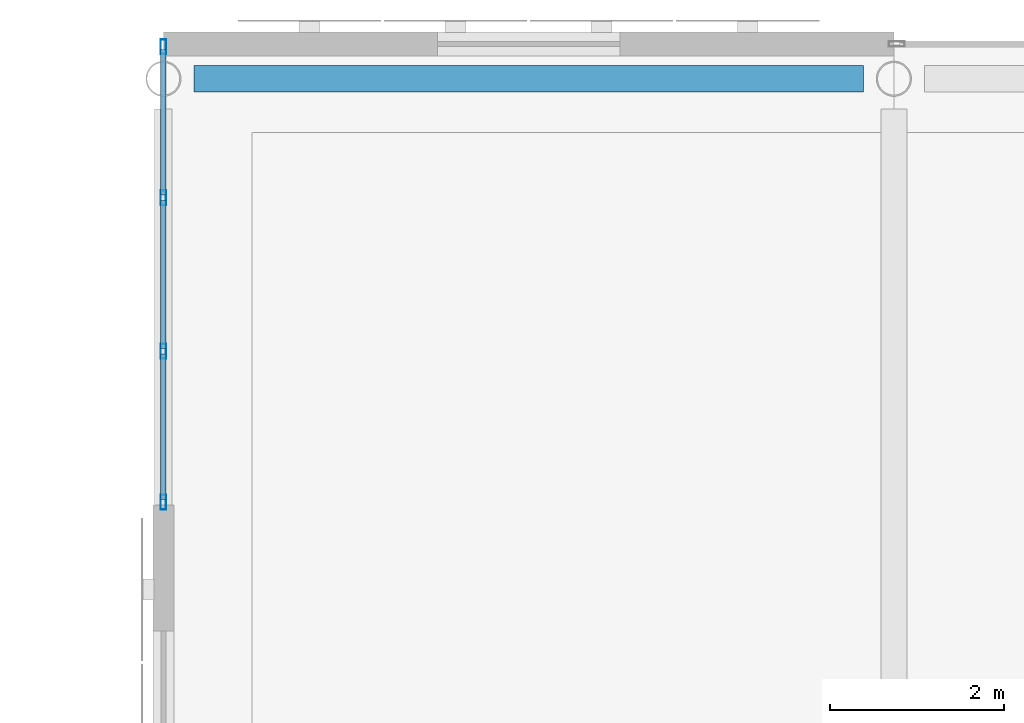
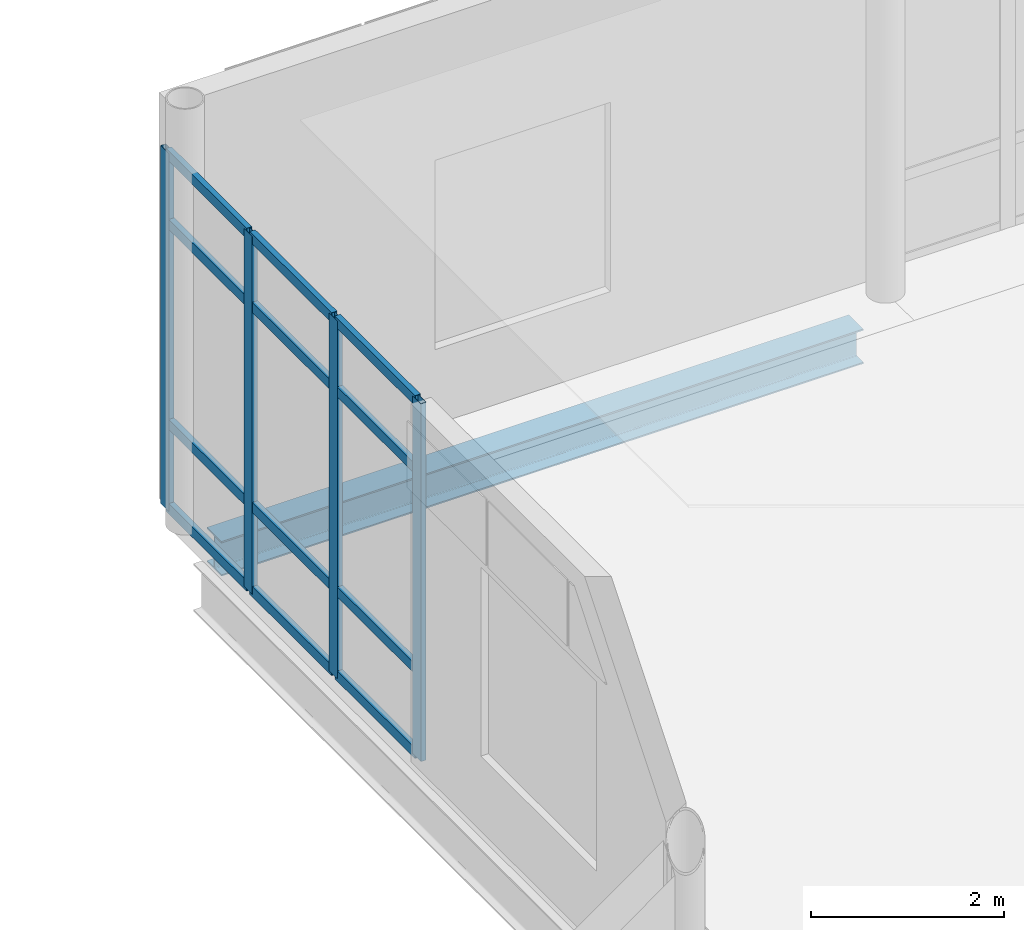
# One storey, part 30 of 110: 16 members, 1 beam, 1 element without a shape of its own.
"""IFC4 building model written with IfcOpenShell, lengths in metres."""

from ifc_helpers import new_model, si_unit, direction, frame, origin, origin_2d, place, context, subcontext, project, spatial, hollow_rectangle, i_section, extrude, material, layer, layer_set, material_profile, profile_set, type_object, element, aggregate, save


model = new_model("IFC4")

# Units and contexts
model_context = context("Model", 3, precision=1e-05, world=origin(), true_north=direction((0.0, 1.0)))
body_context = subcontext(model_context, "Body", "Model", "MODEL_VIEW")
ifc_project = project(units=[si_unit("LENGTHUNIT", "METRE"), si_unit("AREAUNIT", "SQUARE_METRE"), si_unit("VOLUMEUNIT", "CUBIC_METRE"), si_unit("PLANEANGLEUNIT", "RADIAN"), si_unit("MASSUNIT", "GRAM", prefix="KILO"), si_unit("THERMODYNAMICTEMPERATUREUNIT", "KELVIN")], contexts=[model_context])

# Site, building, storey
site_placement = place(None, origin())
site = spatial("IfcSite", under=ifc_project, at=site_placement, CompositionType="ELEMENT")
building_placement = place(site_placement, origin())
building = spatial("IfcBuilding", under=site, at=building_placement, Name="Lustrewick Department Store", CompositionType="ELEMENT")
storey_placement = place(building_placement, frame((0.0, 0.0, 6.0)))
storey = spatial("IfcBuildingStorey", under=building, at=storey_placement, Name="L02", CompositionType="ELEMENT", Elevation=6.0)

# Curtain wall, members
ifc_material_1 = material(Name="Thermally broken aluminium 6063-T5", Category="aluminium")
ifc_layer = layer(ifc_material_1, 0.169921875, Name="Thermally broken aluminium 6063-T5")
ifc_layer_set = layer_set([ifc_layer], Name="Thermally broken aluminium 6063-T5")
curtain_wall_type = type_object("IfcCurtainWallType", Name="CW03", PredefinedType="NOTDEFINED", material=ifc_layer_set)
curtain_wall_placement = place(storey_placement, origin())
curtain_wall = element("IfcCurtainWall", 1, at=curtain_wall_placement, inside=storey, type_object=curtain_wall_type, Name="L02 V2 Curtain Wall CW03", PredefinedType="NOTDEFINED")
ifc_material_profile_1 = material_profile(ifc_material_1, hollow_rectangle(XDim=0.06494140625, YDim=0.169921875, WallThickness=0.00390625, at=origin_2d()), Name="ALU-M 65x170x4")
ifc_profile_set_1 = profile_set([ifc_material_profile_1], Name="Thermally broken aluminium 6063-T5")
member_type_1 = type_object("IfcMemberType", Name="CW03-M1", PredefinedType="MULLION", material=ifc_profile_set_1)
member_1_placement = place(storey_placement, frame((75.60009765625, 111.5673828125, 0.0), z_axis=(0.0, 0.0, 1.0), x_axis=(1.0, 0.0, 0.0)))
member_1 = element("IfcMember", 2, at=member_1_placement, type_object=member_type_1, Name="CW03 mullion 1", PredefinedType="MULLION", context=body_context, shape_type="SweptSolid", body=[
    extrude(hollow_rectangle(XDim=0.06494140625, YDim=0.169921875, WallThickness=0.00390625, at=origin_2d()), origin(), (0.0, 0.0, 1.0), 4.537109375),
])
member_2_placement = place(storey_placement, frame((75.60009765625, 109.8330078125, 0.0), z_axis=(0.0, 0.0, 1.0), x_axis=(1.0, 0.0, 0.0)))
member_2 = element("IfcMember", 3, at=member_2_placement, type_object=member_type_1, Name="CW03 mullion 2", PredefinedType="MULLION", context=body_context, shape_type="SweptSolid", body=[
    extrude(hollow_rectangle(XDim=0.06494140625, YDim=0.169921875, WallThickness=0.00390625, at=origin_2d()), origin(), (0.0, 0.0, 1.0), 4.537109375),
])
member_3_placement = place(storey_placement, frame((75.60009765625, 108.06591796875, 0.0), z_axis=(0.0, 0.0, 1.0), x_axis=(1.0, 0.0, 0.0)))
member_3 = element("IfcMember", 4, at=member_3_placement, type_object=member_type_1, Name="CW03 mullion 3", PredefinedType="MULLION", context=body_context, shape_type="SweptSolid", body=[
    extrude(hollow_rectangle(XDim=0.06494140625, YDim=0.169921875, WallThickness=0.00390625, at=origin_2d()), origin(), (0.0, 0.0, 1.0), 4.537109375),
])
member_4_placement = place(storey_placement, frame((75.60009765625, 106.33154296875, 0.0), z_axis=(0.0, 0.0, 1.0), x_axis=(1.0, 0.0, 0.0)))
member_4 = element("IfcMember", 5, at=member_4_placement, type_object=member_type_1, Name="CW03 mullion 4", PredefinedType="MULLION", context=body_context, shape_type="SweptSolid", body=[
    extrude(hollow_rectangle(XDim=0.06494140625, YDim=0.169921875, WallThickness=0.00390625, at=origin_2d()), origin(), (0.0, 0.0, 1.0), 4.537109375),
])
ifc_material_profile_2 = material_profile(ifc_material_1, hollow_rectangle(XDim=0.06494140625, YDim=0.1298828125, WallThickness=0.00341796875, at=origin_2d()), Name="ALU-T 65x130x3.5")
ifc_profile_set_2 = profile_set([ifc_material_profile_2], Name="Thermally broken aluminium 6063-T5")
member_type_2 = type_object("IfcMemberType", Name="CW03-T1", PredefinedType="USERDEFINED", material=ifc_profile_set_2)
member_5_placement = place(storey_placement, frame((75.60009765625, 111.534912109375, 0.032470703125), z_axis=(0.0, -1.0, 0.0), x_axis=(1.0, 0.0, 0.0)))
member_5 = element("IfcMember", 6, at=member_5_placement, type_object=member_type_2, Name="CW03 transom 1.1", ObjectType="TRANSOM", PredefinedType="USERDEFINED", context=body_context, shape_type="SweptSolid", body=[
    extrude(hollow_rectangle(XDim=0.06494140625, YDim=0.1298828125, WallThickness=0.00341796875, at=origin_2d()), origin(), (0.0, 0.0, 1.0), 1.66943359375),
])
member_6_placement = place(storey_placement, frame((75.60009765625, 111.534912109375, 1.10009765625), z_axis=(0.0, -1.0, 0.0), x_axis=(1.0, 0.0, 0.0)))
member_6 = element("IfcMember", 7, at=member_6_placement, type_object=member_type_2, Name="CW03 transom 1.2", ObjectType="TRANSOM", PredefinedType="USERDEFINED", context=body_context, shape_type="SweptSolid", body=[
    extrude(hollow_rectangle(XDim=0.06494140625, YDim=0.1298828125, WallThickness=0.00341796875, at=origin_2d()), origin(), (0.0, 0.0, 1.0), 1.66943359375),
])
member_7_placement = place(storey_placement, frame((75.60009765625, 111.534912109375, 3.636962890625), z_axis=(0.0, -1.0, 0.0), x_axis=(1.0, 0.0, 0.0)))
member_7 = element("IfcMember", 8, at=member_7_placement, type_object=member_type_2, Name="CW03 transom 1.3", ObjectType="TRANSOM", PredefinedType="USERDEFINED", context=body_context, shape_type="SweptSolid", body=[
    extrude(hollow_rectangle(XDim=0.06494140625, YDim=0.1298828125, WallThickness=0.00341796875, at=origin_2d()), origin(), (0.0, 0.0, 1.0), 1.66943359375),
])
member_8_placement = place(storey_placement, frame((75.60009765625, 111.534912109375, 4.50439453125), z_axis=(0.0, -1.0, 0.0), x_axis=(1.0, 0.0, 0.0)))
member_8 = element("IfcMember", 9, at=member_8_placement, type_object=member_type_2, Name="CW03 transom 1.4", ObjectType="TRANSOM", PredefinedType="USERDEFINED", context=body_context, shape_type="SweptSolid", body=[
    extrude(hollow_rectangle(XDim=0.06494140625, YDim=0.1298828125, WallThickness=0.00341796875, at=origin_2d()), origin(), (0.0, 0.0, 1.0), 1.66943359375),
])
member_9_placement = place(storey_placement, frame((75.60009765625, 109.800537109375, 0.032470703125), z_axis=(0.0, -1.0, 0.0), x_axis=(1.0, 0.0, 0.0)))
member_9 = element("IfcMember", 10, at=member_9_placement, type_object=member_type_2, Name="CW03 transom 2.1", ObjectType="TRANSOM", PredefinedType="USERDEFINED", context=body_context, shape_type="SweptSolid", body=[
    extrude(hollow_rectangle(XDim=0.06494140625, YDim=0.1298828125, WallThickness=0.00341796875, at=origin_2d()), origin(), (0.0, 0.0, 1.0), 1.7021484375),
])
member_10_placement = place(storey_placement, frame((75.60009765625, 109.800537109375, 1.10009765625), z_axis=(0.0, -1.0, 0.0), x_axis=(1.0, 0.0, 0.0)))
member_10 = element("IfcMember", 11, at=member_10_placement, type_object=member_type_2, Name="CW03 transom 2.2", ObjectType="TRANSOM", PredefinedType="USERDEFINED", context=body_context, shape_type="SweptSolid", body=[
    extrude(hollow_rectangle(XDim=0.06494140625, YDim=0.1298828125, WallThickness=0.00341796875, at=origin_2d()), origin(), (0.0, 0.0, 1.0), 1.7021484375),
])
member_11_placement = place(storey_placement, frame((75.60009765625, 109.800537109375, 3.636962890625), z_axis=(0.0, -1.0, 0.0), x_axis=(1.0, 0.0, 0.0)))
member_11 = element("IfcMember", 12, at=member_11_placement, type_object=member_type_2, Name="CW03 transom 2.3", ObjectType="TRANSOM", PredefinedType="USERDEFINED", context=body_context, shape_type="SweptSolid", body=[
    extrude(hollow_rectangle(XDim=0.06494140625, YDim=0.1298828125, WallThickness=0.00341796875, at=origin_2d()), origin(), (0.0, 0.0, 1.0), 1.7021484375),
])
member_12_placement = place(storey_placement, frame((75.60009765625, 109.800537109375, 4.50439453125), z_axis=(0.0, -1.0, 0.0), x_axis=(1.0, 0.0, 0.0)))
member_12 = element("IfcMember", 13, at=member_12_placement, type_object=member_type_2, Name="CW03 transom 2.4", ObjectType="TRANSOM", PredefinedType="USERDEFINED", context=body_context, shape_type="SweptSolid", body=[
    extrude(hollow_rectangle(XDim=0.06494140625, YDim=0.1298828125, WallThickness=0.00341796875, at=origin_2d()), origin(), (0.0, 0.0, 1.0), 1.7021484375),
])
member_13_placement = place(storey_placement, frame((75.60009765625, 108.033447265625, 0.032470703125), z_axis=(0.0, -1.0, 0.0), x_axis=(1.0, 0.0, 0.0)))
member_13 = element("IfcMember", 14, at=member_13_placement, type_object=member_type_2, Name="CW03 transom 3.1", ObjectType="TRANSOM", PredefinedType="USERDEFINED", context=body_context, shape_type="SweptSolid", body=[
    extrude(hollow_rectangle(XDim=0.06494140625, YDim=0.1298828125, WallThickness=0.00341796875, at=origin_2d()), origin(), (0.0, 0.0, 1.0), 1.66943359375),
])
member_14_placement = place(storey_placement, frame((75.60009765625, 108.033447265625, 1.10009765625), z_axis=(0.0, -1.0, 0.0), x_axis=(1.0, 0.0, 0.0)))
member_14 = element("IfcMember", 15, at=member_14_placement, type_object=member_type_2, Name="CW03 transom 3.2", ObjectType="TRANSOM", PredefinedType="USERDEFINED", context=body_context, shape_type="SweptSolid", body=[
    extrude(hollow_rectangle(XDim=0.06494140625, YDim=0.1298828125, WallThickness=0.00341796875, at=origin_2d()), origin(), (0.0, 0.0, 1.0), 1.66943359375),
])
member_15_placement = place(storey_placement, frame((75.60009765625, 108.033447265625, 3.636962890625), z_axis=(0.0, -1.0, 0.0), x_axis=(1.0, 0.0, 0.0)))
member_15 = element("IfcMember", 16, at=member_15_placement, type_object=member_type_2, Name="CW03 transom 3.3", ObjectType="TRANSOM", PredefinedType="USERDEFINED", context=body_context, shape_type="SweptSolid", body=[
    extrude(hollow_rectangle(XDim=0.06494140625, YDim=0.1298828125, WallThickness=0.00341796875, at=origin_2d()), origin(), (0.0, 0.0, 1.0), 1.66943359375),
])
member_16_placement = place(storey_placement, frame((75.60009765625, 108.033447265625, 4.50439453125), z_axis=(0.0, -1.0, 0.0), x_axis=(1.0, 0.0, 0.0)))
member_16 = element("IfcMember", 17, at=member_16_placement, type_object=member_type_2, Name="CW03 transom 3.4", ObjectType="TRANSOM", PredefinedType="USERDEFINED", context=body_context, shape_type="SweptSolid", body=[
    extrude(hollow_rectangle(XDim=0.06494140625, YDim=0.1298828125, WallThickness=0.00341796875, at=origin_2d()), origin(), (0.0, 0.0, 1.0), 1.66943359375),
])
aggregate(curtain_wall, [member_1, member_2, member_3, member_4, member_5, member_6, member_7, member_8, member_9, member_10, member_11, member_12, member_13, member_14, member_15, member_16])

# Beam
ifc_material_2 = material(Name="Structural steel Q355B", Category="steel")
ifc_material_profile_3 = material_profile(ifc_material_2, i_section(OverallWidth=0.300048828125, OverallDepth=0.43994140625, WebThickness=0.010986328125, FlangeThickness=0.01806640625, FilletRadius=0.02001953125, at=origin_2d()), Name="HM 440x300x11x18")
ifc_profile_set_3 = profile_set([ifc_material_profile_3], Name="Structural steel Q355B")
beam_type = type_object("IfcBeamType", Name="SP02", PredefinedType="SPANDREL", material=ifc_profile_set_3)
beam_placement = place(storey_placement, frame((75.949951171875, 111.199951171875, -0.47509765625), z_axis=(1.0, 0.0, 0.0), x_axis=(0.0, 1.0, 0.0)))
element("IfcBeam", 18, at=beam_placement, inside=storey, type_object=beam_type, Name="L02 V2 Girder SP02", PredefinedType="SPANDREL", context=body_context, shape_type="SweptSolid", body=[
    extrude(i_section(OverallWidth=0.300048828125, OverallDepth=0.43994140625, WebThickness=0.010986328125, FlangeThickness=0.01806640625, FilletRadius=0.02001953125, at=origin_2d()), origin(), (0.0, 0.0, 1.0), 7.699951171875),
])

save(model, "model.ifc")
